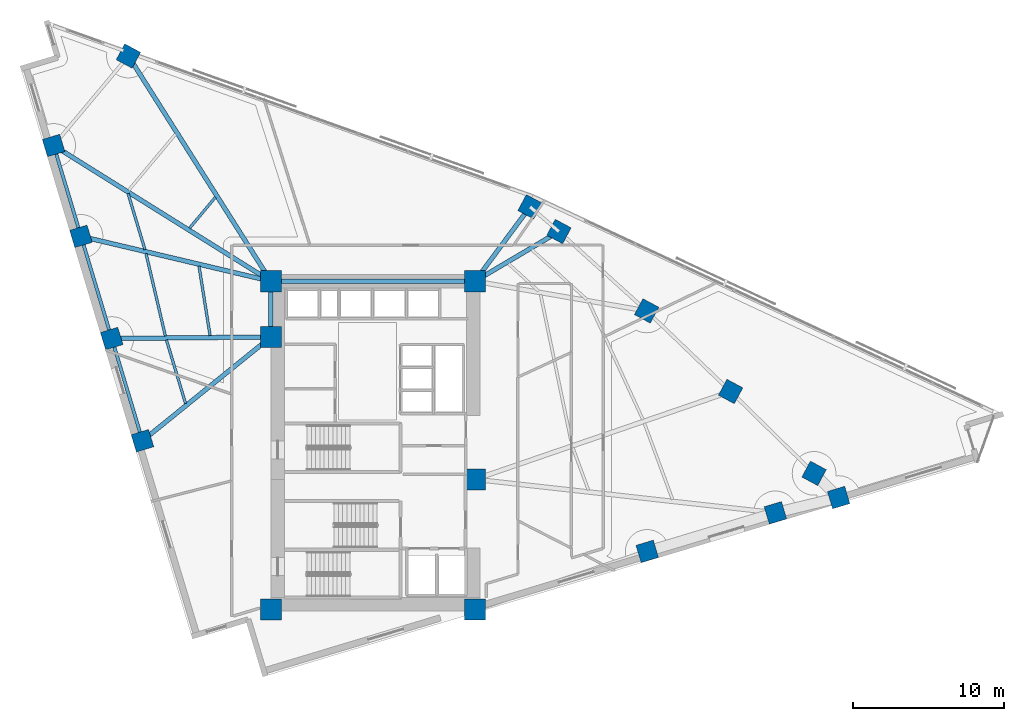
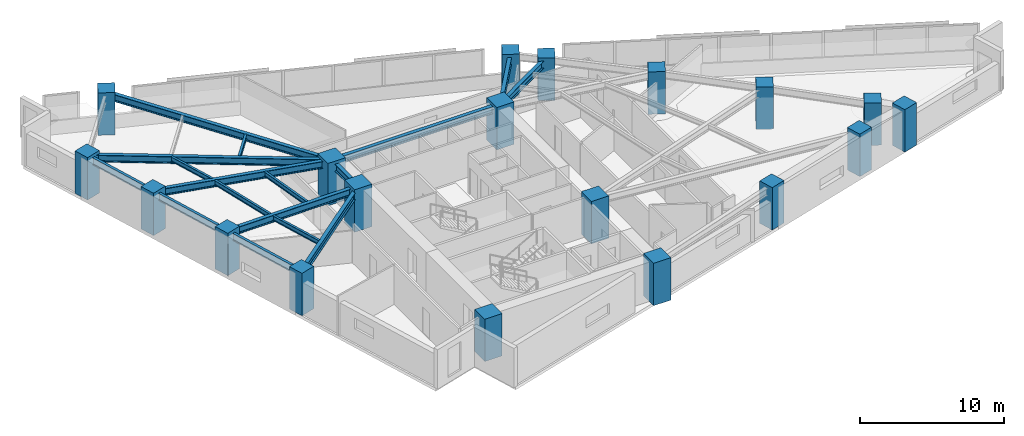
# One storey, part 1 of 16: 19 columns, 17 beams.
"""IFC4 building model written with IfcOpenShell, lengths in metres."""

import ifcopenshell
import ifcopenshell.guid

model = None  # the IFC model being written
_history = None  # IfcOwnerHistory: only IFC2X3 demands one
_inside = {}  # id of a spatial element -> (the spatial element, [elements in it])
_under = {}  # id of a project, library or spatial element -> (it, [spatial elements below it])
_declared = {}  # id of a project -> (the project, [libraries it declares])
_typed = {}  # id of a type object -> (the type object, [elements of that type])
_made_of = {}  # id of a material, layer set ... -> (it, [elements and type objects made of it])


def new_model(schema):
    """Start an empty IFC model of exactly this schema.

    Asked for "IFC4X3", IfcOpenShell would pick the latest addendum, in which some entities
    have other attributes; the version numbers below select the first issue.
    IFC2X3 requires an IfcOwnerHistory on every rooted entity: one is made here for all.
    """
    global model, _history
    if schema == "IFC4X3":
        model = ifcopenshell.file(schema_version=(4, 3, 0, 0))
    else:
        model = ifcopenshell.file(schema=schema)
    _inside.clear()
    _under.clear()
    _declared.clear()
    _typed.clear()
    _made_of.clear()
    _history = None
    if model.schema == "IFC2X3":
        org = make("IfcOrganization", Name="unknown")
        user = make(
            "IfcPersonAndOrganization",
            ThePerson=make("IfcPerson", FamilyName="unknown"),
            TheOrganization=org,
        )
        app = make(
            "IfcApplication",
            ApplicationDeveloper=org,
            Version="unknown",
            ApplicationFullName="unknown",
            ApplicationIdentifier="unknown",
        )
        _history = make(
            "IfcOwnerHistory",
            OwningUser=user,
            OwningApplication=app,
            ChangeAction="ADDED",
            CreationDate=0,
        )
    return model


def make(cls, **values):
    """One entity of the class cls with the attributes given. An attribute that is None is left unset."""
    return model.create_entity(
        cls, **{name: value for name, value in values.items() if value is not None}
    )


def rooted(cls, **values):
    """An entity with a GlobalId (a new one), such as an element, a storey or a relation."""
    return make(cls, GlobalId=ifcopenshell.guid.new(), OwnerHistory=_history, **values)


def si_unit(unit_type, name, prefix=None):
    """IfcSIUnit, for example si_unit("LENGTHUNIT", "METRE", prefix="MILLI")."""
    return make("IfcSIUnit", UnitType=unit_type, Prefix=prefix, Name=name)


def assignment(units):
    """IfcUnitAssignment: the units of a project."""
    return None if units is None else make("IfcUnitAssignment", Units=units)


def point(xyz):
    """IfcCartesianPoint."""
    return None if xyz is None else make("IfcCartesianPoint", Coordinates=xyz)


def direction(xyz):
    """IfcDirection."""
    return None if xyz is None else make("IfcDirection", DirectionRatios=xyz)


def frame(location, z_axis=None, x_axis=None):
    """IfcAxis2Placement3D, a coordinate frame: its origin and axes. An axis left out is left unset."""
    return make(
        "IfcAxis2Placement3D",
        Location=point(location),
        Axis=direction(z_axis),
        RefDirection=direction(x_axis),
    )


def frame_2d(location, x_axis=None):
    """IfcAxis2Placement2D, a coordinate frame in the plane: its origin and x axis."""
    return make(
        "IfcAxis2Placement2D", Location=point(location), RefDirection=direction(x_axis)
    )


def origin():
    """The frame at (0, 0, 0) with its axes left unset."""
    return frame((0.0, 0.0, 0.0))


def origin_2d():
    """The frame at (0, 0) in the plane with its x axis left unset."""
    return frame_2d((0.0, 0.0))


def place(relative_to, where):
    """IfcLocalPlacement: puts the frame where relative to a parent placement (None: the world)."""
    return make(
        "IfcLocalPlacement", PlacementRelTo=relative_to, RelativePlacement=where
    )


def context(
    kind, dimensions, precision=None, world=None, true_north=None, identifier=None
):
    """IfcGeometricRepresentationContext, for example the 3D "Model" context."""
    return make(
        "IfcGeometricRepresentationContext",
        ContextIdentifier=identifier,
        ContextType=kind,
        CoordinateSpaceDimension=dimensions,
        Precision=precision,
        WorldCoordinateSystem=world,
        TrueNorth=true_north,
    )


def subcontext(parent, identifier, kind, view, scale=None):
    """IfcGeometricRepresentationSubContext, for example "Body" below "Model"."""
    return make(
        "IfcGeometricRepresentationSubContext",
        ContextIdentifier=identifier,
        ContextType=kind,
        ParentContext=parent,
        TargetScale=scale,
        TargetView=view,
    )


def project(units=None, contexts=None):
    """IfcProject with its units and contexts."""
    return rooted(
        "IfcProject",
        Name="project",
        RepresentationContexts=contexts,
        UnitsInContext=assignment(units),
    )


def spatial(cls, under=None, at=None, **own):
    """A site, building, storey or space (cls), placed at a placement, below another one or the project."""
    s = rooted(cls, ObjectPlacement=at, **own)
    if under is not None:
        _under.setdefault(under.id(), (under, []))[1].append(s)
    return s


def profile(cls, at=None, kind="AREA", **sizes):
    """A parametric profile (cls). Its sizes go by their IFC names, for example OverallWidth=200.0."""
    return make(cls, ProfileType=kind, Position=at, **sizes)


def rectangle(**sizes):
    """IfcRectangleProfileDef."""
    return profile("IfcRectangleProfileDef", **sizes)


def i_section(**sizes):
    """IfcIShapeProfileDef."""
    return profile("IfcIShapeProfileDef", **sizes)


def extrude(swept, where, along, depth):
    """IfcExtrudedAreaSolid: the profile swept, set in the frame where, extruded along a direction by depth."""
    return make(
        "IfcExtrudedAreaSolid",
        SweptArea=swept,
        Position=where,
        ExtrudedDirection=direction(along),
        Depth=depth,
    )


def shape(context_of_items, identifier, shape_type, items):
    """IfcShapeRepresentation: the items that make up one representation, for example the "Body"."""
    return make(
        "IfcShapeRepresentation",
        ContextOfItems=context_of_items,
        RepresentationIdentifier=identifier,
        RepresentationType=shape_type,
        Items=items,
    )


def material(Name=None, Category=None):
    """IfcMaterial."""
    return make("IfcMaterial", Name=Name, Category=Category)


def material_profile(
    of_material, cross_section, Name=None, Category=None, Priority=None
):
    """IfcMaterialProfile: a cross section and its material."""
    return make(
        "IfcMaterialProfile",
        Name=Name,
        Material=of_material,
        Profile=cross_section,
        Priority=Priority,
        Category=Category,
    )


def profile_set(profiles, Name=None, composite=None):
    """IfcMaterialProfileSet."""
    return make(
        "IfcMaterialProfileSet",
        Name=Name,
        MaterialProfiles=profiles,
        CompositeProfile=composite,
    )


def made_of(thing, what):
    """Note that an element or type object is made of a material, layer set ...; save() writes the relation."""
    if what is not None:
        _made_of.setdefault(what.id(), (what, []))[1].append(thing)
    return thing


def type_object(cls, material=None, **own):
    """A type object (cls), such as IfcWallType, which elements share."""
    return made_of(rooted(cls, **own), material)


def element(
    cls,
    number,
    at=None,
    inside=None,
    cuts=None,
    type_object=None,
    material=None,
    context=None,
    identifier="Body",
    shape_type=None,
    held_by="IfcProductDefinitionShape",
    body=None,
    shapes=None,
    **own,
):
    """One element of the class cls, such as IfcWall. Its Tag is "e" and its number.

    at: its placement. inside: the storey or other place that contains it. cuts: it is an
    opening in that element (IfcRelVoidsElement). A single representation is given by context,
    identifier, shape_type and body (its items); several are given by shapes. held_by: the class
    of the entity that holds the representations. save() writes the other relations.
    """
    e = rooted(cls, Tag="e%d" % number, ObjectPlacement=at, **own)
    if body is not None:
        shapes = [shape(context, identifier, shape_type, body)]
    if shapes is not None:
        e.Representation = make(held_by, Representations=shapes)
    if inside is not None:
        _inside.setdefault(inside.id(), (inside, []))[1].append(e)
    if cuts is not None:
        rooted(
            "IfcRelVoidsElement", RelatingBuildingElement=cuts, RelatedOpeningElement=e
        )
    if type_object is not None:
        _typed.setdefault(type_object.id(), (type_object, []))[1].append(e)
    return made_of(e, material)


def aggregate(whole, parts):
    """IfcRelAggregates: a whole, such as a stair, and the parts it consists of."""
    return rooted("IfcRelAggregates", RelatingObject=whole, RelatedObjects=parts)


def save(model, path):
    """Write the relations noted so far, then the file.

    IfcRelAggregates (storeys below a building ...), IfcRelContainedInSpatialStructure (elements
    in a storey), IfcRelDefinesByType, IfcRelAssociatesMaterial and IfcRelDeclares: one each for
    every whole, place, type object, material and project.
    """
    for whole, parts in _under.values():
        aggregate(whole, parts)
    for where, things in _inside.values():
        rooted(
            "IfcRelContainedInSpatialStructure",
            RelatedElements=things,
            RelatingStructure=where,
        )
    for kind, things in _typed.values():
        rooted("IfcRelDefinesByType", RelatedObjects=things, RelatingType=kind)
    for what, things in _made_of.values():
        rooted("IfcRelAssociatesMaterial", RelatedObjects=things, RelatingMaterial=what)
    for by, libraries in _declared.values():
        rooted("IfcRelDeclares", RelatingContext=by, RelatedDefinitions=libraries)
    model.write(path)


model = new_model("IFC4")

# Units and contexts
model_context = context("Model", 3, precision=1e-05, world=origin(), true_north=direction((0.0, 1.0)))
body_context = subcontext(model_context, "Body", "Model", "MODEL_VIEW")
ifc_project = project(units=[si_unit("LENGTHUNIT", "METRE"), si_unit("AREAUNIT", "SQUARE_METRE"), si_unit("VOLUMEUNIT", "CUBIC_METRE"), si_unit("PLANEANGLEUNIT", "RADIAN"), si_unit("MASSUNIT", "GRAM", prefix="KILO")], contexts=[model_context])

# Site, building, storey
site_placement = place(None, origin())
site = spatial("IfcSite", under=ifc_project, at=site_placement, CompositionType="ELEMENT")
building_placement = place(site_placement, origin())
building = spatial("IfcBuilding", under=site, at=building_placement, Name="Narakoshi Arena Tower", CompositionType="ELEMENT")
storey_placement = place(building_placement, frame((0.0, 0.0, 146.699951171875)))
storey = spatial("IfcBuildingStorey", under=building, at=storey_placement, Name="L39", CompositionType="ELEMENT", Elevation=146.699951171875)

# Columns
ifc_material_1 = material(Name="Concrete C60/75", Category="concrete")
ifc_material_profile_1 = material_profile(ifc_material_1, rectangle(XDim=1.199951171875, YDim=1.199951171875, at=origin_2d()), Name="RC1200x1200")
ifc_profile_set_1 = profile_set([ifc_material_profile_1], Name="Concrete C60/75")
column_type_1 = type_object("IfcColumnType", Name="COL-RC1200", PredefinedType="COLUMN", material=ifc_profile_set_1)
for number, where, z_axis, x_axis, name in (
    (1, (96.984619140625, 38.565185546875, 0.0), (0.0, 0.0, 1.0), (0.957571360805, 0.288196268134, 0.0), "L39 Tower Perimeter Column TC02"),
    (2, (105.49365234375, 41.126220703125, 0.0), (0.0, 0.0, 1.0), (0.957571360805, 0.288196268134, 0.0), "L39 Tower Perimeter Column TC03"),
    (3, (109.692626953125, 42.13916015625, 0.0), (0.0, 0.0, 1.0), (0.957571360805, 0.288196268134, 0.0), "L39 Tower Perimeter Column TC04"),
    (4, (108.061279296875, 43.74560546875, 0.0), (0.0, 0.0, 1.0), (0.473319667185, 0.880890738205, 0.0), "L39 Tower Perimeter Column TC05"),
    (5, (102.522216796875, 49.17919921875, 0.0), (0.0, 0.0, 1.0), (0.473319667185, 0.880890738205, 0.0), "L39 Tower Perimeter Column TC06"),
    (6, (96.9443359375, 54.528076171875, 0.0), (0.0, 0.0, 1.0), (0.473319667185, 0.880890738205, 0.0), "L39 Tower Perimeter Column TC07"),
    (7, (91.12646484375, 59.798095703125, 0.0), (0.0, 0.0, 1.0), (0.473319667185, 0.880890738205, 0.0), "L39 Tower Perimeter Column TC08"),
    (8, (89.206787109375, 61.437744140625, 0.0), (0.0, 0.0, 1.0), (0.473319667185, 0.880890738205, 0.0), "L39 Tower Perimeter Column TC09"),
    (9, (62.545166015625, 71.4501953125, 0.0), (0.0, 0.0, 1.0), (0.473319667185, 0.880890738205, 0.0), "L39 Tower Perimeter Column TC11"),
    (10, (57.580810546875, 65.51220703125, 0.0), (0.0, 0.0, 1.0), (-0.288196268134, 0.957571360805, 0.0), "L39 Tower Perimeter Column TC13"),
    (11, (59.39599609375, 59.481201171875, 0.0), (0.0, 0.0, 1.0), (-0.288196268134, 0.957571360805, 0.0), "L39 Tower Perimeter Column TC14"),
    (12, (61.43798828125, 52.6962890625, 0.0), (0.0, 0.0, 1.0), (-0.288196268134, 0.957571360805, 0.0), "L39 Tower Perimeter Column TC15"),
    (13, (63.47998046875, 45.91162109375, 0.0), (0.0, 0.0, 1.0), (-0.288196268134, 0.957571360805, 0.0), "L39 Tower Perimeter Column TC16"),
):
    element("IfcColumn", number, at=place(storey_placement, frame(where, z_axis=z_axis, x_axis=x_axis)), inside=storey, type_object=column_type_1, Name=name, PredefinedType="COLUMN", context=body_context, shape_type="SweptSolid", body=[
        extrude(rectangle(XDim=1.199951171875, YDim=1.199951171875, at=origin_2d()), origin(), (0.0, 0.0, 1.0), 3.60009765625),
    ])
ifc_material_profile_2 = material_profile(ifc_material_1, rectangle(XDim=1.39990234375, YDim=1.39990234375, at=origin_2d()), Name="RC1400x1400")
ifc_profile_set_2 = profile_set([ifc_material_profile_2], Name="Concrete C60/75")
column_type_2 = type_object("IfcColumnType", Name="COL-RC1400", PredefinedType="COLUMN", material=ifc_profile_set_2)
for number, where, z_axis, x_axis, name in (
    (14, (72.0, 34.699951171875, 0.0), (0.0, 0.0, 1.0), (1.0, 0.0, 0.0), "L39 Core Structural Column CC1"),
    (15, (85.550048828125, 34.699951171875, 0.0), (0.0, 0.0, 1.0), (1.0, 0.0, 0.0), "L39 Core Structural Column CC2"),
    (16, (85.550048828125, 43.35009765625, 0.0), (0.0, 0.0, 1.0), (1.0, 0.0, 0.0), "L39 Core Structural Column CC3"),
    (17, (72.0, 52.800048828125, 0.0), (0.0, 0.0, 1.0), (1.0, 0.0, 0.0), "L39 Core Structural Column CC4"),
    (18, (72.0, 56.5, 0.0), (0.0, 0.0, 1.0), (1.0, 0.0, 0.0), "L39 Core Structural Column CC5"),
    (19, (85.550048828125, 56.5, 0.0), (0.0, 0.0, 1.0), (1.0, 0.0, 0.0), "L39 Core Structural Column CC6"),
):
    element("IfcColumn", number, at=place(storey_placement, frame(where, z_axis=z_axis, x_axis=x_axis)), inside=storey, type_object=column_type_2, Name=name, PredefinedType="COLUMN", context=body_context, shape_type="SweptSolid", body=[
        extrude(rectangle(XDim=1.39990234375, YDim=1.39990234375, at=origin_2d()), origin(), (0.0, 0.0, 1.0), 3.60009765625),
    ])

# Beams
ifc_material_2 = material(Name="Structural steel S355J2", Category="steel")
ifc_material_profile_3 = material_profile(ifc_material_2, i_section(OverallWidth=0.219970703125, OverallDepth=0.60009765625, WebThickness=0.011962890625, FlangeThickness=0.01904296875, FilletRadius=0.02392578125, at=origin_2d()), Name="IPE600")
ifc_profile_set_3 = profile_set([ifc_material_profile_3], Name="Structural steel S355J2")
beam_type_1 = type_object("IfcBeamType", Name="BM-EDGE-600", PredefinedType="BEAM", material=ifc_profile_set_3)
beam_1_placement = place(storey_placement, frame((57.580810546875, 65.51220703125, 3.0400390625), z_axis=(0.288204829742, -0.957568784011, 0.0), x_axis=(0.957568784011, 0.288204829742, 0.0)))
element("IfcBeam", 20, at=beam_1_placement, inside=storey, type_object=beam_type_1, Name="L39 Perimeter Edge Girder 10", PredefinedType="BEAM", context=body_context, shape_type="SweptSolid", body=[
    extrude(i_section(OverallWidth=0.219970703125, OverallDepth=0.60009765625, WebThickness=0.011962890625, FlangeThickness=0.01904296875, FilletRadius=0.02392578125, at=origin_2d()), origin(), (0.0, 0.0, 1.0), 6.29833984375),
])
beam_2_placement = place(storey_placement, frame((59.39599609375, 59.481201171875, 3.0400390625), z_axis=(0.28819179325, -0.957572707581, 0.0), x_axis=(0.957572707581, 0.28819179325, 0.0)))
element("IfcBeam", 21, at=beam_2_placement, inside=storey, type_object=beam_type_1, Name="L39 Perimeter Edge Girder 11", PredefinedType="BEAM", context=body_context, shape_type="SweptSolid", body=[
    extrude(i_section(OverallWidth=0.219970703125, OverallDepth=0.60009765625, WebThickness=0.011962890625, FlangeThickness=0.01904296875, FilletRadius=0.02392578125, at=origin_2d()), origin(), (0.0, 0.0, 1.0), 7.08544921875),
])
beam_3_placement = place(storey_placement, frame((61.43798828125, 52.6962890625, 3.0400390625), z_axis=(0.288201302245, -0.957569845695, 0.0), x_axis=(0.957569845695, 0.288201302245, 0.0)))
element("IfcBeam", 22, at=beam_3_placement, inside=storey, type_object=beam_type_1, Name="L39 Perimeter Edge Girder 12", PredefinedType="BEAM", context=body_context, shape_type="SweptSolid", body=[
    extrude(i_section(OverallWidth=0.219970703125, OverallDepth=0.60009765625, WebThickness=0.011962890625, FlangeThickness=0.01904296875, FilletRadius=0.02392578125, at=origin_2d()), origin(), (0.0, 0.0, 1.0), 7.085205078125),
])
ifc_material_profile_4 = material_profile(ifc_material_2, i_section(OverallWidth=0.300048828125, OverallDepth=0.60009765625, WebThickness=0.015380859375, FlangeThickness=0.030029296875, FilletRadius=0.027099609375, at=origin_2d()), Name="HE600B")
ifc_profile_set_4 = profile_set([ifc_material_profile_4], Name="Structural steel S355J2")
beam_type_2 = type_object("IfcBeamType", Name="BM-PRI-600", PredefinedType="BEAM", material=ifc_profile_set_4)
beam_4_placement = place(storey_placement, frame((85.550048828125, 56.5, 3.0400390625), z_axis=(0.860727657757, 0.509065712037, 0.0), x_axis=(-0.509065712037, 0.860727657757, 0.0)))
element("IfcBeam", 23, at=beam_4_placement, inside=storey, type_object=beam_type_2, Name="L39 Radial Primary Floor Girder 07", PredefinedType="BEAM", context=body_context, shape_type="SweptSolid", body=[
    extrude(i_section(OverallWidth=0.300048828125, OverallDepth=0.60009765625, WebThickness=0.015380859375, FlangeThickness=0.030029296875, FilletRadius=0.027099609375, at=origin_2d()), origin(), (0.0, 0.0, 1.0), 6.478759765625),
])
beam_5_placement = place(storey_placement, frame((85.550048828125, 56.5, 3.0400390625), z_axis=(0.595138224279, 0.803623353321, 0.0), x_axis=(-0.803623353321, 0.595138224279, 0.0)))
element("IfcBeam", 24, at=beam_5_placement, inside=storey, type_object=beam_type_2, Name="L39 Radial Primary Floor Girder 08", PredefinedType="BEAM", context=body_context, shape_type="SweptSolid", body=[
    extrude(i_section(OverallWidth=0.300048828125, OverallDepth=0.60009765625, WebThickness=0.015380859375, FlangeThickness=0.030029296875, FilletRadius=0.027099609375, at=origin_2d()), origin(), (0.0, 0.0, 1.0), 6.144287109375),
])
beam_6_placement = place(storey_placement, frame((72.0, 56.5, 3.0400390625), z_axis=(-0.534502303868, 0.845167017317, 0.0), x_axis=(-0.845167017317, -0.534502303868, 0.0)))
element("IfcBeam", 25, at=beam_6_placement, inside=storey, type_object=beam_type_2, Name="L39 Radial Primary Floor Girder 09", PredefinedType="BEAM", context=body_context, shape_type="SweptSolid", body=[
    extrude(i_section(OverallWidth=0.300048828125, OverallDepth=0.60009765625, WebThickness=0.015380859375, FlangeThickness=0.030029296875, FilletRadius=0.027099609375, at=origin_2d()), origin(), (0.0, 0.0, 1.0), 17.68896484375),
])
beam_7_placement = place(storey_placement, frame((72.0, 56.5, 3.0400390625), z_axis=(-0.847992657587, 0.530007974165, 0.0), x_axis=(-0.530007974165, -0.847992657587, 0.0)))
element("IfcBeam", 26, at=beam_7_placement, inside=storey, type_object=beam_type_2, Name="L39 Radial Primary Floor Girder 10", PredefinedType="BEAM", context=body_context, shape_type="SweptSolid", body=[
    extrude(i_section(OverallWidth=0.300048828125, OverallDepth=0.60009765625, WebThickness=0.015380859375, FlangeThickness=0.030029296875, FilletRadius=0.027099609375, at=origin_2d()), origin(), (0.0, 0.0, 1.0), 17.00390625),
])
beam_8_placement = place(storey_placement, frame((72.0, 56.5, 3.0400390625), z_axis=(-0.973148771856, 0.230177035857, 0.0), x_axis=(-0.230177035857, -0.973148771856, 0.0)))
element("IfcBeam", 27, at=beam_8_placement, inside=storey, type_object=beam_type_2, Name="L39 Radial Primary Floor Girder 11", PredefinedType="BEAM", context=body_context, shape_type="SweptSolid", body=[
    extrude(i_section(OverallWidth=0.300048828125, OverallDepth=0.60009765625, WebThickness=0.015380859375, FlangeThickness=0.030029296875, FilletRadius=0.027099609375, at=origin_2d()), origin(), (0.0, 0.0, 1.0), 12.95166015625),
])
beam_9_placement = place(storey_placement, frame((72.0, 52.800048828125, 3.0400390625), z_axis=(-0.999951749341, -0.009823389891, 0.0), x_axis=(0.009823389891, -0.999951749341, 0.0)))
element("IfcBeam", 28, at=beam_9_placement, inside=storey, type_object=beam_type_2, Name="L39 Radial Primary Floor Girder 12", PredefinedType="BEAM", context=body_context, shape_type="SweptSolid", body=[
    extrude(i_section(OverallWidth=0.300048828125, OverallDepth=0.60009765625, WebThickness=0.015380859375, FlangeThickness=0.030029296875, FilletRadius=0.027099609375, at=origin_2d()), origin(), (0.0, 0.0, 1.0), 10.5625),
])
beam_10_placement = place(storey_placement, frame((72.0, 52.800048828125, 3.0400390625), z_axis=(-0.777634431076, -0.628716702184, 0.0), x_axis=(0.628716702184, -0.777634431076, 0.0)))
element("IfcBeam", 29, at=beam_10_placement, inside=storey, type_object=beam_type_2, Name="L39 Radial Primary Floor Girder 13", PredefinedType="BEAM", context=body_context, shape_type="SweptSolid", body=[
    extrude(i_section(OverallWidth=0.300048828125, OverallDepth=0.60009765625, WebThickness=0.015380859375, FlangeThickness=0.030029296875, FilletRadius=0.027099609375, at=origin_2d()), origin(), (0.0, 0.0, 1.0), 10.956298828125),
])
beam_11_placement = place(storey_placement, frame((72.0, 52.800048828125, 3.0400390625), z_axis=(0.0, 1.0, 0.0), x_axis=(-1.0, 0.0, 0.0)))
element("IfcBeam", 30, at=beam_11_placement, inside=storey, type_object=beam_type_2, Name="L39 Core Perimeter Frame Beam CC4-CC5", PredefinedType="BEAM", context=body_context, shape_type="SweptSolid", body=[
    extrude(i_section(OverallWidth=0.300048828125, OverallDepth=0.60009765625, WebThickness=0.015380859375, FlangeThickness=0.030029296875, FilletRadius=0.027099609375, at=origin_2d()), origin(), (0.0, 0.0, 1.0), 3.699951171875),
])
beam_12_placement = place(storey_placement, frame((72.0, 56.5, 3.0400390625), z_axis=(1.0, 0.0, 0.0), x_axis=(0.0, 1.0, 0.0)))
element("IfcBeam", 31, at=beam_12_placement, inside=storey, type_object=beam_type_2, Name="L39 Core Perimeter Frame Beam CC5-CC6", PredefinedType="BEAM", context=body_context, shape_type="SweptSolid", body=[
    extrude(i_section(OverallWidth=0.300048828125, OverallDepth=0.60009765625, WebThickness=0.015380859375, FlangeThickness=0.030029296875, FilletRadius=0.027099609375, at=origin_2d()), origin(), (0.0, 0.0, 1.0), 13.550048828125),
])
ifc_material_profile_5 = material_profile(ifc_material_2, i_section(OverallWidth=0.179931640625, OverallDepth=0.39990234375, WebThickness=0.008544921875, FlangeThickness=0.013427734375, FilletRadius=0.02099609375, at=origin_2d()), Name="IPE400")
ifc_profile_set_5 = profile_set([ifc_material_profile_5], Name="Structural steel S355J2")
beam_type_3 = type_object("IfcBeamType", Name="BM-SEC-400", PredefinedType="JOIST", material=ifc_profile_set_5)
beam_13_placement = place(storey_placement, frame((68.320556640625, 62.077392578125, 3.14013671875), z_axis=(-0.64141534739, -0.767193816537, 0.0), x_axis=(0.767193816537, -0.64141534739, 0.0)))
element("IfcBeam", 32, at=beam_13_placement, inside=storey, type_object=beam_type_3, Name="L39 Composite Secondary Floor Joist 07", PredefinedType="JOIST", context=body_context, shape_type="SweptSolid", body=[
    extrude(i_section(OverallWidth=0.179931640625, OverallDepth=0.39990234375, WebThickness=0.008544921875, FlangeThickness=0.013427734375, FilletRadius=0.02099609375, at=origin_2d()), origin(), (0.0, 0.0, 1.0), 2.6708984375),
])
beam_14_placement = place(storey_placement, frame((62.522216796875, 62.318603515625, 3.14013671875), z_axis=(0.288258285881, -0.957552693391, 0.0), x_axis=(0.957552693391, 0.288258285881, 0.0)))
element("IfcBeam", 33, at=beam_14_placement, inside=storey, type_object=beam_type_3, Name="L39 Composite Secondary Floor Joist 09", PredefinedType="JOIST", context=body_context, shape_type="SweptSolid", body=[
    extrude(i_section(OverallWidth=0.179931640625, OverallDepth=0.39990234375, WebThickness=0.008544921875, FlangeThickness=0.013427734375, FilletRadius=0.02099609375, at=origin_2d()), origin(), (0.0, 0.0, 1.0), 3.88671875),
])
beam_15_placement = place(storey_placement, frame((67.231689453125, 57.49951171875, 3.14013671875), z_axis=(0.157263582495, -0.987556664511, 0.0), x_axis=(0.987556664511, 0.157263582495, 0.0)))
element("IfcBeam", 34, at=beam_15_placement, inside=storey, type_object=beam_type_3, Name="L39 Composite Secondary Floor Joist 10", PredefinedType="JOIST", context=body_context, shape_type="SweptSolid", body=[
    extrude(i_section(OverallWidth=0.179931640625, OverallDepth=0.39990234375, WebThickness=0.008544921875, FlangeThickness=0.013427734375, FilletRadius=0.02099609375, at=origin_2d()), origin(), (0.0, 0.0, 1.0), 4.66357421875),
])
beam_16_placement = place(storey_placement, frame((63.712158203125, 58.336181640625, 3.14013671875), z_axis=(0.228758561982, -0.973483189542, 0.0), x_axis=(0.973483189542, 0.228758561982, 0.0)))
element("IfcBeam", 35, at=beam_16_placement, inside=storey, type_object=beam_type_3, Name="L39 Composite Secondary Floor Joist 11", PredefinedType="JOIST", context=body_context, shape_type="SweptSolid", body=[
    extrude(i_section(OverallWidth=0.179931640625, OverallDepth=0.39990234375, WebThickness=0.008544921875, FlangeThickness=0.013427734375, FilletRadius=0.02099609375, at=origin_2d()), origin(), (0.0, 0.0, 1.0), 5.622314453125),
])
beam_17_placement = place(storey_placement, frame((65.068115234375, 52.602294921875, 3.14013671875), z_axis=(0.288166161621, -0.957580421321, 0.0), x_axis=(0.957580421321, 0.288166161621, 0.0)))
element("IfcBeam", 36, at=beam_17_placement, inside=storey, type_object=beam_type_3, Name="L39 Composite Secondary Floor Joist 12", PredefinedType="JOIST", context=body_context, shape_type="SweptSolid", body=[
    extrude(i_section(OverallWidth=0.179931640625, OverallDepth=0.39990234375, WebThickness=0.008544921875, FlangeThickness=0.013427734375, FilletRadius=0.02099609375, at=origin_2d()), origin(), (0.0, 0.0, 1.0), 4.406494140625),
])

save(model, "model.ifc")
